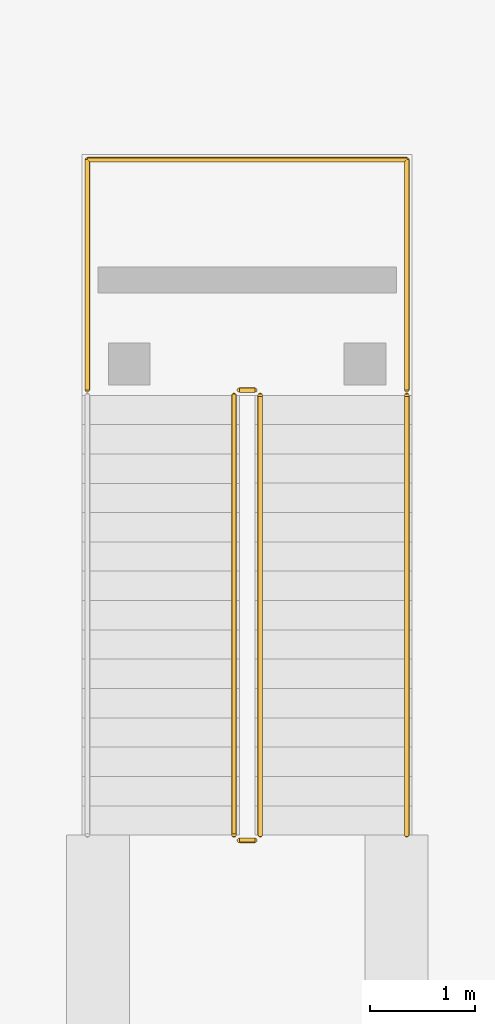
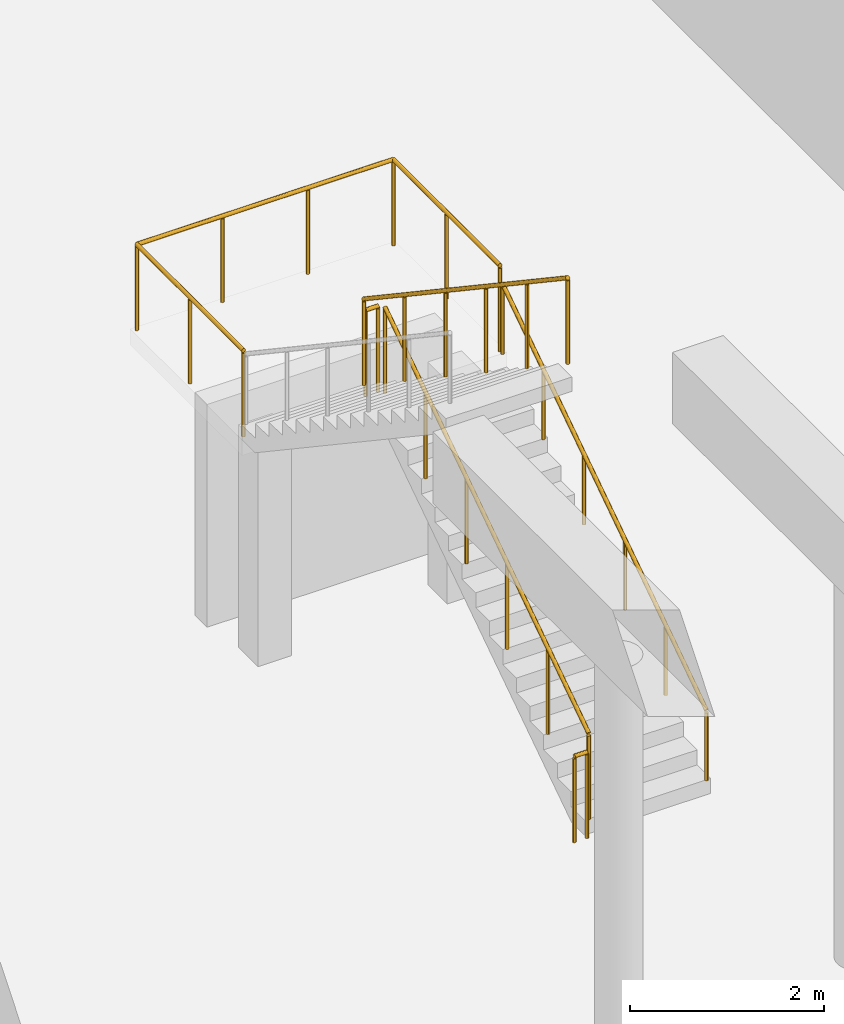
# One storey, part 202 of 210: 6 railings.
"""IFC4 building model written with IfcOpenShell, lengths in metres."""

from ifc_helpers import new_model, si_unit, direction, frame, origin, origin_2d, place, context, subcontext, project, spatial, circle, extrude, material, type_object, element, save


model = new_model("IFC4")

# Units and contexts
model_context = context("Model", 3, precision=1e-05, world=origin(), true_north=direction((0.0, 1.0)))
body_context = subcontext(model_context, "Body", "Model", "MODEL_VIEW")
ifc_project = project(units=[si_unit("LENGTHUNIT", "METRE"), si_unit("AREAUNIT", "SQUARE_METRE"), si_unit("VOLUMEUNIT", "CUBIC_METRE"), si_unit("PLANEANGLEUNIT", "RADIAN"), si_unit("MASSUNIT", "GRAM", prefix="KILO")], contexts=[model_context])

# Site, building, storey
site_placement = place(None, origin())
site = spatial("IfcSite", under=ifc_project, at=site_placement, CompositionType="ELEMENT")
building_placement = place(site_placement, origin())
building = spatial("IfcBuilding", under=site, at=building_placement, Name="Rain Tree Exposition and Congress Centre", CompositionType="ELEMENT")
storey_placement = place(building_placement, origin())
storey = spatial("IfcBuildingStorey", under=building, at=storey_placement, Name="L00", CompositionType="ELEMENT", Elevation=0.0)

# Railings
ifc_material_1 = material(Name="Steel S355J2H", Category="steel")
railing_type_1 = type_object("IfcRailingType", Name="Link walk guard 1100", PredefinedType="GUARDRAIL", material=ifc_material_1)
railing_1_placement = place(storey_placement, frame((132.89990234375, 158.75, 3.0)))
element("IfcRailing", 1, at=railing_1_placement, inside=storey, type_object=railing_type_1, Name="Link stair landing guard", PredefinedType="GUARDRAIL", context=body_context, shape_type="SweptSolid", body=[
    extrude(circle(Radius=0.02392578125, at=origin_2d()), frame((0.0, 0.0, 1.076171875), z_axis=(0.0, 1.0, 0.0), x_axis=(-1.0, 0.0, 0.0)), (0.0, 0.0, 1.0), 2.199951171875),
    extrude(circle(Radius=0.02392578125, at=origin_2d()), frame((0.0, 2.199951171875, 1.076171875), z_axis=(1.0, 0.0, 0.0), x_axis=(0.0, 1.0, 0.0)), (0.0, 0.0, 1.0), 3.050048828125),
    extrude(circle(Radius=0.02392578125, at=origin_2d()), frame((3.050048828125, 2.199951171875, 1.076171875), z_axis=(0.0, -1.0, 0.0), x_axis=(1.0, 0.0, 0.0)), (0.0, 0.0, 1.0), 2.199951171875),
    extrude(circle(Radius=0.02099609375, at=origin_2d()), origin(), (0.0, 0.0, 1.0), 1.052001953125),
    extrude(circle(Radius=0.02099609375, at=origin_2d()), frame((0.0, 1.10009765625, 0.0)), (0.0, 0.0, 1.0), 1.052001953125),
    extrude(circle(Radius=0.02099609375, at=origin_2d()), frame((0.0, 2.199951171875, 0.0)), (0.0, 0.0, 1.0), 1.052001953125),
    extrude(circle(Radius=0.02099609375, at=origin_2d()), frame((1.0166015625, 2.199951171875, 0.0)), (0.0, 0.0, 1.0), 1.052001953125),
    extrude(circle(Radius=0.02099609375, at=origin_2d()), frame((2.033447265625, 2.199951171875, 0.0)), (0.0, 0.0, 1.0), 1.052001953125),
    extrude(circle(Radius=0.02099609375, at=origin_2d()), frame((3.050048828125, 2.199951171875, 0.0)), (0.0, 0.0, 1.0), 1.052001953125),
    extrude(circle(Radius=0.02099609375, at=origin_2d()), frame((3.050048828125, 1.10009765625, 0.0)), (0.0, 0.0, 1.0), 1.052001953125),
    extrude(circle(Radius=0.02099609375, at=origin_2d()), frame((3.050048828125, 0.0, 0.0)), (0.0, 0.0, 1.0), 1.052001953125),
])
ifc_material_2 = material(Name="Steel S355J2H", Category="steel")
railing_type_2 = type_object("IfcRailingType", Name="Stair guard 1100", PredefinedType="GUARDRAIL", material=ifc_material_2)
railing_2_placement = place(storey_placement, frame((134.550048828125, 154.5, 0.1875)))
element("IfcRailing", 2, at=railing_2_placement, inside=storey, type_object=railing_type_2, Name="L00 ST-HL1 stair guard 1", PredefinedType="GUARDRAIL", context=body_context, shape_type="SweptSolid", body=[
    extrude(circle(Radius=0.02392578125, at=origin_2d()), frame((0.0, 0.0, 1.076171875), z_axis=(0.0, 0.830904186295, 0.556415522067), x_axis=(-1.0, 0.0, 0.0)), (0.0, 0.0, 1.0), 5.0546875),
    extrude(circle(Radius=0.02099609375, at=origin_2d()), origin(), (0.0, 0.0, 1.0), 1.052001953125),
    extrude(circle(Radius=0.02099609375, at=origin_2d()), frame((0.0, 0.840087890625, 0.5625)), (0.0, 0.0, 1.0), 1.052001953125),
    extrude(circle(Radius=0.02099609375, at=origin_2d()), frame((0.0, 1.679931640625, 1.125)), (0.0, 0.0, 1.0), 1.052001953125),
    extrude(circle(Radius=0.02099609375, at=origin_2d()), frame((0.0, 2.52001953125, 1.6875)), (0.0, 0.0, 1.0), 1.052001953125),
    extrude(circle(Radius=0.02099609375, at=origin_2d()), frame((0.0, 3.35986328125, 2.25)), (0.0, 0.0, 1.0), 1.052001953125),
    extrude(circle(Radius=0.02099609375, at=origin_2d()), frame((0.0, 4.199951171875, 2.8125)), (0.0, 0.0, 1.0), 1.052001953125),
])
railing_3_placement = place(storey_placement, frame((134.5, 158.75, 3.0)))
element("IfcRailing", 3, at=railing_3_placement, inside=storey, type_object=railing_type_2, Name="L00 ST-HL1 stair guard 2", PredefinedType="GUARDRAIL", context=body_context, shape_type="SweptSolid", body=[
    extrude(circle(Radius=0.02392578125, at=origin_2d()), frame((0.0, 0.0, 1.076171875), z_axis=(-1.0, 0.0, 0.0), x_axis=(0.0, -1.0, 0.0)), (0.0, 0.0, 1.0), 0.14990234375),
    extrude(circle(Radius=0.02099609375, at=origin_2d()), origin(), (0.0, 0.0, 1.0), 1.052001953125),
    extrude(circle(Radius=0.02099609375, at=origin_2d()), frame((-0.14990234375, 0.0, 0.0)), (0.0, 0.0, 1.0), 1.052001953125),
])
railing_4_placement = place(storey_placement, frame((134.300048828125, 158.699951171875, 3.1875)))
element("IfcRailing", 4, at=railing_4_placement, inside=storey, type_object=railing_type_2, Name="L00 ST-HL1 stair guard 3", PredefinedType="GUARDRAIL", context=body_context, shape_type="SweptSolid", body=[
    extrude(circle(Radius=0.02392578125, at=origin_2d()), frame((0.0, 0.0, 1.076171875), z_axis=(0.0, -0.830904186295, 0.556415522067), x_axis=(1.0, 0.0, 0.0)), (0.0, 0.0, 1.0), 5.0546875),
    extrude(circle(Radius=0.02099609375, at=origin_2d()), origin(), (0.0, 0.0, 1.0), 1.052001953125),
    extrude(circle(Radius=0.02099609375, at=origin_2d()), frame((0.0, -0.840087890625, 0.5625)), (0.0, 0.0, 1.0), 1.052001953125),
    extrude(circle(Radius=0.02099609375, at=origin_2d()), frame((0.0, -1.679931640625, 1.125)), (0.0, 0.0, 1.0), 1.052001953125),
    extrude(circle(Radius=0.02099609375, at=origin_2d()), frame((0.0, -2.52001953125, 1.6875)), (0.0, 0.0, 1.0), 1.052001953125),
    extrude(circle(Radius=0.02099609375, at=origin_2d()), frame((0.0, -3.35986328125, 2.25)), (0.0, 0.0, 1.0), 1.052001953125),
    extrude(circle(Radius=0.02099609375, at=origin_2d()), frame((0.0, -4.199951171875, 2.8125)), (0.0, 0.0, 1.0), 1.052001953125),
])
railing_5_placement = place(storey_placement, frame((134.5, 154.449951171875, 0.0)))
element("IfcRailing", 5, at=railing_5_placement, inside=storey, type_object=railing_type_2, Name="L00 ST-HL1 stair guard 4", PredefinedType="GUARDRAIL", context=body_context, shape_type="SweptSolid", body=[
    extrude(circle(Radius=0.02392578125, at=origin_2d()), frame((0.0, 0.0, 1.076171875), z_axis=(-1.0, 0.0, 0.0), x_axis=(0.0, -1.0, 0.0)), (0.0, 0.0, 1.0), 0.14990234375),
    extrude(circle(Radius=0.02099609375, at=origin_2d()), origin(), (0.0, 0.0, 1.0), 1.052001953125),
    extrude(circle(Radius=0.02099609375, at=origin_2d()), frame((-0.14990234375, 0.0, 0.0)), (0.0, 0.0, 1.0), 1.052001953125),
])
ifc_material_3 = material(Name="Steel S355J2H", Category="steel")
railing_type_3 = type_object("IfcRailingType", Name="Stair handrail 900", PredefinedType="HANDRAIL", material=ifc_material_3)
railing_6_placement = place(storey_placement, frame((135.949951171875, 154.5, 0.1875)))
element("IfcRailing", 6, at=railing_6_placement, inside=storey, type_object=railing_type_3, Name="L00 ST-HL1 stair handrail 1", PredefinedType="HANDRAIL", context=body_context, shape_type="SweptSolid", body=[
    extrude(circle(Radius=0.02392578125, at=origin_2d()), frame((0.0, 0.0, 0.8759765625), z_axis=(0.0, 0.830904186295, 0.556415522067), x_axis=(-1.0, 0.0, 0.0)), (0.0, 0.0, 1.0), 5.0546875),
    extrude(circle(Radius=0.02099609375, at=origin_2d()), origin(), (0.0, 0.0, 1.0), 0.851806640625),
    extrude(circle(Radius=0.02099609375, at=origin_2d()), frame((0.0, 0.840087890625, 0.5625)), (0.0, 0.0, 1.0), 0.851806640625),
    extrude(circle(Radius=0.02099609375, at=origin_2d()), frame((0.0, 1.679931640625, 1.125)), (0.0, 0.0, 1.0), 0.851806640625),
    extrude(circle(Radius=0.02099609375, at=origin_2d()), frame((0.0, 2.52001953125, 1.6875)), (0.0, 0.0, 1.0), 0.851806640625),
    extrude(circle(Radius=0.02099609375, at=origin_2d()), frame((0.0, 3.35986328125, 2.25)), (0.0, 0.0, 1.0), 0.851806640625),
    extrude(circle(Radius=0.02099609375, at=origin_2d()), frame((0.0, 4.199951171875, 2.8125)), (0.0, 0.0, 1.0), 0.851806640625),
])

save(model, "model.ifc")
